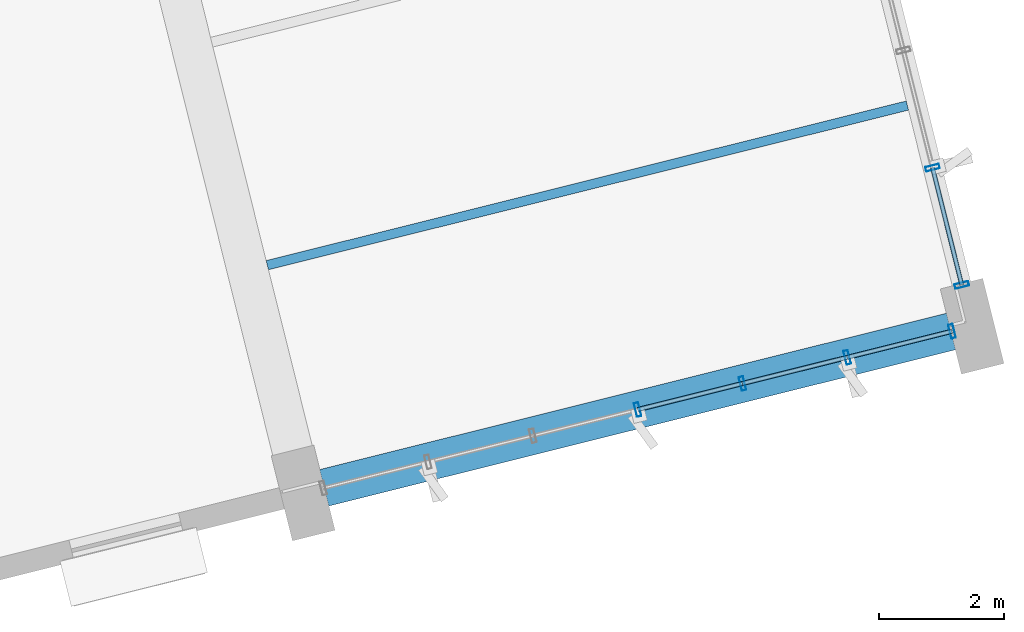
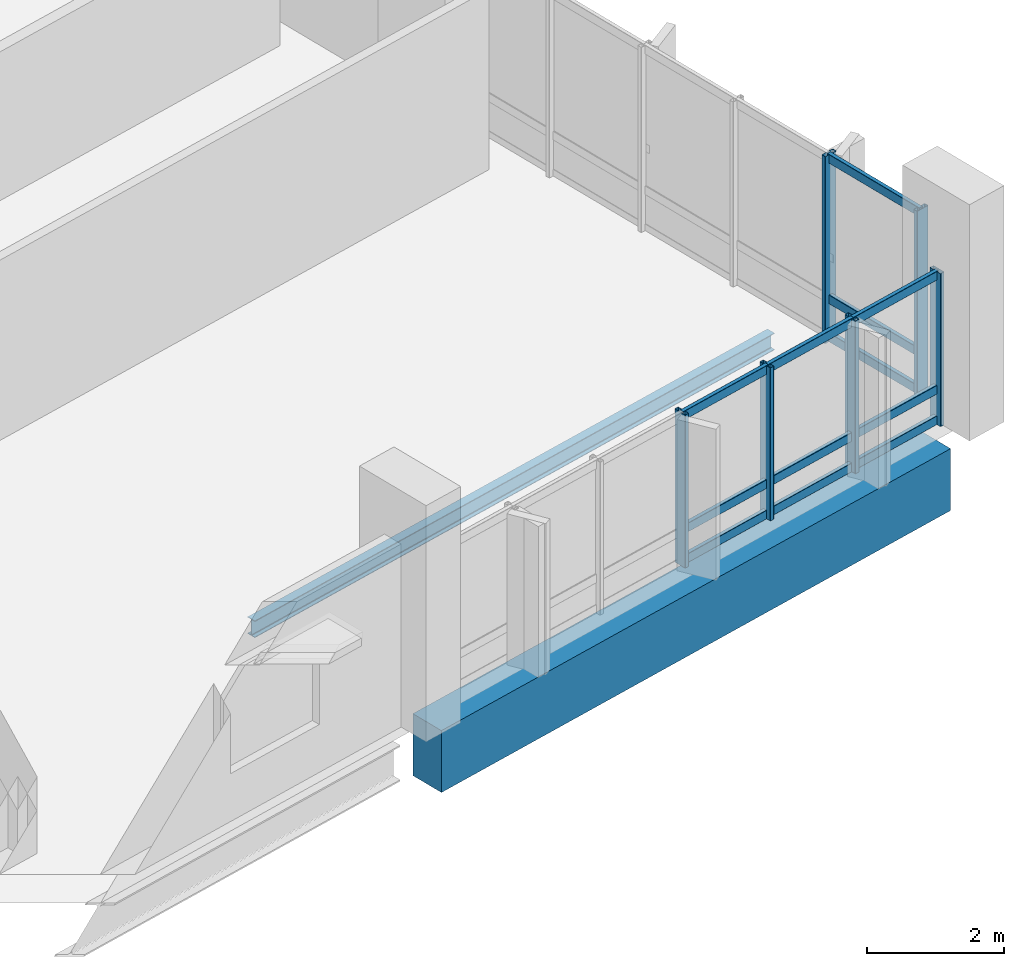
# One storey, part 9 of 42: 18 members, 2 beams, 2 elements without a shape of their own.
"""IFC4 building model written with IfcOpenShell, lengths in metres."""

from ifc_helpers import new_model, si_unit, direction, frame, origin, origin_2d, place, context, subcontext, project, spatial, rectangle, hollow_rectangle, i_section, extrude, material, layer, layer_set, material_profile, profile_set, type_object, element, aggregate, save


model = new_model("IFC4")

# Units and contexts
model_context = context("Model", 3, precision=1e-05, world=origin(), true_north=direction((0.0, 1.0)))
body_context = subcontext(model_context, "Body", "Model", "MODEL_VIEW")
ifc_project = project(units=[si_unit("LENGTHUNIT", "METRE"), si_unit("AREAUNIT", "SQUARE_METRE"), si_unit("VOLUMEUNIT", "CUBIC_METRE"), si_unit("PLANEANGLEUNIT", "RADIAN"), si_unit("MASSUNIT", "GRAM", prefix="KILO")], contexts=[model_context])

# Site, building, storey
site_placement = place(None, origin())
site = spatial("IfcSite", under=ifc_project, at=site_placement, CompositionType="ELEMENT")
building_placement = place(site_placement, origin())
building = spatial("IfcBuilding", under=site, at=building_placement, Name="Khorjan Park Terminus", CompositionType="ELEMENT")
storey_placement = place(building_placement, frame((0.0, 0.0, 20.4)))
storey = spatial("IfcBuildingStorey", under=building, at=storey_placement, Name="L04", CompositionType="ELEMENT", Elevation=20.4)

# Beams
ifc_material_1 = material(Name="Concrete C40/50", Category="concrete")
ifc_material_profile_1 = material_profile(ifc_material_1, rectangle(XDim=0.6, YDim=1.1, at=origin_2d()), Name="RC 600x1100")
ifc_profile_set_1 = profile_set([ifc_material_profile_1], Name="Concrete C40/50")
beam_type_1 = type_object("IfcBeamType", Name="BM-RC600x1100", PredefinedType="BEAM", material=ifc_profile_set_1)
beam_1_placement = place(storey_placement, frame((219.701, 15.3892, -0.89), z_axis=(0.970296351811, 0.241919386702, 0.0), x_axis=(-0.241919386702, 0.970296351811, 0.0)))
element("IfcBeam", 1, at=beam_1_placement, inside=storey, type_object=beam_type_1, Name="Primary skew-grid floor girder GB-11 (L04)", PredefinedType="BEAM", context=body_context, shape_type="SweptSolid", body=[
    extrude(rectangle(XDim=0.6, YDim=1.1, at=origin_2d()), origin(), (0.0, 0.0, 1.0), 10.31),
])
ifc_material_2 = material(Name="Steel S355", Category="steel")
ifc_material_profile_2 = material_profile(ifc_material_2, i_section(OverallWidth=0.15, OverallDepth=0.3, WebThickness=0.0071, FlangeThickness=0.0107, FilletRadius=0.015, at=origin_2d()), Name="IPE 300")
ifc_profile_set_2 = profile_set([ifc_material_profile_2], Name="Steel S355")
beam_type_2 = type_object("IfcBeamType", Name="JS-IPE300", PredefinedType="JOIST", material=ifc_profile_set_2)
beam_2_placement = place(storey_placement, frame((218.7946, 18.9421, -0.49), z_axis=(0.970296002015, 0.241920789668, 0.0), x_axis=(-0.241920789668, 0.970296002015, 0.0)))
element("IfcBeam", 2, at=beam_2_placement, inside=storey, type_object=beam_type_2, Name="Secondary composite floor joist SJ-30 (L04)", PredefinedType="JOIST", context=body_context, shape_type="SweptSolid", body=[
    extrude(i_section(OverallWidth=0.15, OverallDepth=0.3, WebThickness=0.0071, FlangeThickness=0.0107, FilletRadius=0.015, at=origin_2d()), origin(), (0.0, 0.0, 1.0), 10.5249),
])

# Curtain wall, members
ifc_material_3 = material(Name="Anodized Bronze Aluminium", Category="aluminium")
ifc_layer = layer(ifc_material_3, 0.22)
ifc_layer_set = layer_set([ifc_layer], Name="Anodized Bronze Aluminium")
curtain_wall_type = type_object("IfcCurtainWallType", Name="CW-OPS-B", PredefinedType="NOTDEFINED", material=ifc_layer_set)
curtain_wall_1_placement = place(storey_placement, origin())
curtain_wall_1 = element("IfcCurtainWall", 3, at=curtain_wall_1_placement, inside=storey, type_object=curtain_wall_type, Name="Unitized curtain wall CW-B (CW-V5-S-L04-B05)", PredefinedType="NOTDEFINED")
ifc_material_profile_3 = material_profile(ifc_material_3, hollow_rectangle(XDim=0.075, YDim=0.225, WallThickness=0.005, InnerFilletRadius=0.005, OuterFilletRadius=0.01, at=origin_2d()), Name="ALM 75x225x5")
ifc_profile_set_3 = profile_set([ifc_material_profile_3], Name="Anodized Bronze Aluminium")
member_type_1 = type_object("IfcMemberType", Name="ML-ALM-225", PredefinedType="MULLION", material=ifc_profile_set_3)
member_1_placement = place(storey_placement, frame((224.703, 16.6363, -0.035), z_axis=(0.0, 0.0, 1.0), x_axis=(0.970296464407, 0.241918935098, 0.0)))
member_1 = element("IfcMember", 4, at=member_1_placement, type_object=member_type_1, Name="Curtain-wall mullion ML-22 (CW-V5-S-L04-B05-3)", PredefinedType="MULLION", context=body_context, shape_type="SweptSolid", body=[
    extrude(hollow_rectangle(XDim=0.075, YDim=0.225, WallThickness=0.005, InnerFilletRadius=0.005, OuterFilletRadius=0.01, at=origin_2d()), origin(), (0.0, 0.0, 1.0), 2.72),
])
member_2_placement = place(storey_placement, frame((226.3753, 17.0532, -0.035), z_axis=(0.0, 0.0, 1.0), x_axis=(0.970296464407, 0.241918935098, 0.0)))
member_2 = element("IfcMember", 5, at=member_2_placement, type_object=member_type_1, Name="Curtain-wall mullion ML-22 (CW-V5-S-L04-B05-4)", PredefinedType="MULLION", context=body_context, shape_type="SweptSolid", body=[
    extrude(hollow_rectangle(XDim=0.075, YDim=0.225, WallThickness=0.005, InnerFilletRadius=0.005, OuterFilletRadius=0.01, at=origin_2d()), origin(), (0.0, 0.0, 1.0), 2.72),
])
member_3_placement = place(storey_placement, frame((228.0476, 17.4702, -0.035), z_axis=(0.0, 0.0, 1.0), x_axis=(0.970296464407, 0.241918935098, 0.0)))
member_3 = element("IfcMember", 6, at=member_3_placement, type_object=member_type_1, Name="Curtain-wall mullion ML-22 (CW-V5-S-L04-B05-5)", PredefinedType="MULLION", context=body_context, shape_type="SweptSolid", body=[
    extrude(hollow_rectangle(XDim=0.075, YDim=0.225, WallThickness=0.005, InnerFilletRadius=0.005, OuterFilletRadius=0.01, at=origin_2d()), origin(), (0.0, 0.0, 1.0), 2.72),
])
member_4_placement = place(storey_placement, frame((229.7198, 17.8871, -0.035), z_axis=(0.0, 0.0, 1.0), x_axis=(0.970296464407, 0.241918935098, 0.0)))
member_4 = element("IfcMember", 7, at=member_4_placement, type_object=member_type_1, Name="Curtain-wall mullion ML-22 (CW-V5-S-L04-B05-6)", PredefinedType="MULLION", context=body_context, shape_type="SweptSolid", body=[
    extrude(hollow_rectangle(XDim=0.075, YDim=0.225, WallThickness=0.005, InnerFilletRadius=0.005, OuterFilletRadius=0.01, at=origin_2d()), origin(), (0.0, 0.0, 1.0), 2.72),
])

curtain_wall_2_placement = place(storey_placement, origin())
curtain_wall_2 = element("IfcCurtainWall", 8, at=curtain_wall_2_placement, inside=storey, type_object=curtain_wall_type, Name="Unitized curtain wall CW-B (CW-V5-E-L04-B01)", PredefinedType="NOTDEFINED")
member_5_placement = place(storey_placement, frame((229.875, 18.6267, -0.035), z_axis=(0.0, 0.0, 1.0), x_axis=(-0.241920488516, 0.9702960771, 0.0)))
member_5 = element("IfcMember", 9, at=member_5_placement, type_object=member_type_1, Name="Curtain-wall mullion ML-22 (CW-V5-E-L04-B01-0)", PredefinedType="MULLION", context=body_context, shape_type="SweptSolid", body=[
    extrude(hollow_rectangle(XDim=0.075, YDim=0.225, WallThickness=0.005, InnerFilletRadius=0.005, OuterFilletRadius=0.01, at=origin_2d()), origin(), (0.0, 0.0, 1.0), 3.325),
])
member_6_placement = place(storey_placement, frame((229.4086, 20.4974, -0.035), z_axis=(0.0, 0.0, 1.0), x_axis=(-0.241920488516, 0.9702960771, 0.0)))
member_6 = element("IfcMember", 10, at=member_6_placement, type_object=member_type_1, Name="Curtain-wall mullion ML-22 (CW-V5-E-L04-B01-1)", PredefinedType="MULLION", context=body_context, shape_type="SweptSolid", body=[
    extrude(hollow_rectangle(XDim=0.075, YDim=0.225, WallThickness=0.005, InnerFilletRadius=0.005, OuterFilletRadius=0.01, at=origin_2d()), origin(), (0.0, 0.0, 1.0), 3.325),
])

# Member
ifc_material_profile_4 = material_profile(ifc_material_3, hollow_rectangle(XDim=0.07, YDim=0.16, WallThickness=0.004, InnerFilletRadius=0.004, OuterFilletRadius=0.008, at=origin_2d()), Name="ALT 70x160x4")
ifc_profile_set_4 = profile_set([ifc_material_profile_4], Name="Anodized Bronze Aluminium")
member_type_2 = type_object("IfcMemberType", Name="TR-ALT-160", PredefinedType="USERDEFINED", material=ifc_profile_set_4)
member_7_placement = place(storey_placement, frame((224.703, 16.6363, 0.04), z_axis=(0.970302701845, 0.241893916402, 0.0), x_axis=(-0.241893916402, 0.970302701845, 0.0)))
member_7 = element("IfcMember", 11, at=member_7_placement, type_object=member_type_2, Name="Curtain-wall transom TR-16 (CW-V5-S-L04-B05-3-1)", ObjectType="TRANSOM", PredefinedType="USERDEFINED", context=body_context, shape_type="SweptSolid", body=[
    extrude(hollow_rectangle(XDim=0.07, YDim=0.16, WallThickness=0.004, InnerFilletRadius=0.004, OuterFilletRadius=0.008, at=origin_2d()), origin(), (0.0, 0.0, 1.0), 1.7235),
])

member_8_placement = place(storey_placement, frame((224.703, 16.6363, 0.583), z_axis=(0.970302701845, 0.241893916402, 0.0), x_axis=(-0.241893916402, 0.970302701845, 0.0)))
member_8 = element("IfcMember", 12, at=member_8_placement, type_object=member_type_2, Name="Curtain-wall transom TR-16 (CW-V5-S-L04-B05-3-2)", ObjectType="TRANSOM", PredefinedType="USERDEFINED", context=body_context, shape_type="SweptSolid", body=[
    extrude(hollow_rectangle(XDim=0.07, YDim=0.16, WallThickness=0.004, InnerFilletRadius=0.004, OuterFilletRadius=0.008, at=origin_2d()), origin(), (0.0, 0.0, 1.0), 1.7235),
])

member_9_placement = place(storey_placement, frame((224.703, 16.6363, 2.61), z_axis=(0.970302701845, 0.241893916402, 0.0), x_axis=(-0.241893916402, 0.970302701845, 0.0)))
member_9 = element("IfcMember", 13, at=member_9_placement, type_object=member_type_2, Name="Curtain-wall transom TR-16 (CW-V5-S-L04-B05-3-3)", ObjectType="TRANSOM", PredefinedType="USERDEFINED", context=body_context, shape_type="SweptSolid", body=[
    extrude(hollow_rectangle(XDim=0.07, YDim=0.16, WallThickness=0.004, InnerFilletRadius=0.004, OuterFilletRadius=0.008, at=origin_2d()), origin(), (0.0, 0.0, 1.0), 1.7235),
])

member_10_placement = place(storey_placement, frame((226.3753, 17.0532, 0.04), z_axis=(0.970289082125, 0.241948542275, 0.0), x_axis=(-0.241948542275, 0.970289082125, 0.0)))
member_10 = element("IfcMember", 14, at=member_10_placement, type_object=member_type_2, Name="Curtain-wall transom TR-16 (CW-V5-S-L04-B05-4-1)", ObjectType="TRANSOM", PredefinedType="USERDEFINED", context=body_context, shape_type="SweptSolid", body=[
    extrude(hollow_rectangle(XDim=0.07, YDim=0.16, WallThickness=0.004, InnerFilletRadius=0.004, OuterFilletRadius=0.008, at=origin_2d()), origin(), (0.0, 0.0, 1.0), 1.7235),
])

member_11_placement = place(storey_placement, frame((226.3753, 17.0532, 0.583), z_axis=(0.970289082125, 0.241948542275, 0.0), x_axis=(-0.241948542275, 0.970289082125, 0.0)))
member_11 = element("IfcMember", 15, at=member_11_placement, type_object=member_type_2, Name="Curtain-wall transom TR-16 (CW-V5-S-L04-B05-4-2)", ObjectType="TRANSOM", PredefinedType="USERDEFINED", context=body_context, shape_type="SweptSolid", body=[
    extrude(hollow_rectangle(XDim=0.07, YDim=0.16, WallThickness=0.004, InnerFilletRadius=0.004, OuterFilletRadius=0.008, at=origin_2d()), origin(), (0.0, 0.0, 1.0), 1.7235),
])

member_12_placement = place(storey_placement, frame((226.3753, 17.0532, 2.61), z_axis=(0.970289082125, 0.241948542275, 0.0), x_axis=(-0.241948542275, 0.970289082125, 0.0)))
member_12 = element("IfcMember", 16, at=member_12_placement, type_object=member_type_2, Name="Curtain-wall transom TR-16 (CW-V5-S-L04-B05-4-3)", ObjectType="TRANSOM", PredefinedType="USERDEFINED", context=body_context, shape_type="SweptSolid", body=[
    extrude(hollow_rectangle(XDim=0.07, YDim=0.16, WallThickness=0.004, InnerFilletRadius=0.004, OuterFilletRadius=0.008, at=origin_2d()), origin(), (0.0, 0.0, 1.0), 1.7235),
])

member_13_placement = place(storey_placement, frame((228.0476, 17.4702, 0.04), z_axis=(0.970299306534, 0.241907535518, 0.0), x_axis=(-0.241907535518, 0.970299306534, 0.0)))
member_13 = element("IfcMember", 17, at=member_13_placement, type_object=member_type_2, Name="Curtain-wall transom TR-16 (CW-V5-S-L04-B05-5-1)", ObjectType="TRANSOM", PredefinedType="USERDEFINED", context=body_context, shape_type="SweptSolid", body=[
    extrude(hollow_rectangle(XDim=0.07, YDim=0.16, WallThickness=0.004, InnerFilletRadius=0.004, OuterFilletRadius=0.008, at=origin_2d()), origin(), (0.0, 0.0, 1.0), 1.7234),
])

member_14_placement = place(storey_placement, frame((228.0476, 17.4702, 0.583), z_axis=(0.970299306534, 0.241907535518, 0.0), x_axis=(-0.241907535518, 0.970299306534, 0.0)))
member_14 = element("IfcMember", 18, at=member_14_placement, type_object=member_type_2, Name="Curtain-wall transom TR-16 (CW-V5-S-L04-B05-5-2)", ObjectType="TRANSOM", PredefinedType="USERDEFINED", context=body_context, shape_type="SweptSolid", body=[
    extrude(hollow_rectangle(XDim=0.07, YDim=0.16, WallThickness=0.004, InnerFilletRadius=0.004, OuterFilletRadius=0.008, at=origin_2d()), origin(), (0.0, 0.0, 1.0), 1.7234),
])

member_15_placement = place(storey_placement, frame((228.0476, 17.4702, 2.61), z_axis=(0.970299306534, 0.241907535518, 0.0), x_axis=(-0.241907535518, 0.970299306534, 0.0)))
member_15 = element("IfcMember", 19, at=member_15_placement, type_object=member_type_2, Name="Curtain-wall transom TR-16 (CW-V5-S-L04-B05-5-3)", ObjectType="TRANSOM", PredefinedType="USERDEFINED", context=body_context, shape_type="SweptSolid", body=[
    extrude(hollow_rectangle(XDim=0.07, YDim=0.16, WallThickness=0.004, InnerFilletRadius=0.004, OuterFilletRadius=0.008, at=origin_2d()), origin(), (0.0, 0.0, 1.0), 1.7234),
])

aggregate(curtain_wall_1, [member_1, member_2, member_3, member_4, member_7, member_8, member_9, member_10, member_11, member_12, member_13, member_14, member_15])

member_16_placement = place(storey_placement, frame((229.875, 18.6267, 0.04), z_axis=(-0.241913157049, 0.970297905, 0.0), x_axis=(-0.970297905, -0.241913157049, 0.0)))
member_16 = element("IfcMember", 20, at=member_16_placement, type_object=member_type_2, Name="Curtain-wall transom TR-16 (CW-V5-E-L04-B01-0-1)", ObjectType="TRANSOM", PredefinedType="USERDEFINED", context=body_context, shape_type="SweptSolid", body=[
    extrude(hollow_rectangle(XDim=0.07, YDim=0.16, WallThickness=0.004, InnerFilletRadius=0.004, OuterFilletRadius=0.008, at=origin_2d()), origin(), (0.0, 0.0, 1.0), 1.928),
])

member_17_placement = place(storey_placement, frame((229.875, 18.6267, 0.716), z_axis=(-0.241913157049, 0.970297905, 0.0), x_axis=(-0.970297905, -0.241913157049, 0.0)))
member_17 = element("IfcMember", 21, at=member_17_placement, type_object=member_type_2, Name="Curtain-wall transom TR-16 (CW-V5-E-L04-B01-0-2)", ObjectType="TRANSOM", PredefinedType="USERDEFINED", context=body_context, shape_type="SweptSolid", body=[
    extrude(hollow_rectangle(XDim=0.07, YDim=0.16, WallThickness=0.004, InnerFilletRadius=0.004, OuterFilletRadius=0.008, at=origin_2d()), origin(), (0.0, 0.0, 1.0), 1.928),
])

member_18_placement = place(storey_placement, frame((229.875, 18.6267, 3.215), z_axis=(-0.241913157049, 0.970297905, 0.0), x_axis=(-0.970297905, -0.241913157049, 0.0)))
member_18 = element("IfcMember", 22, at=member_18_placement, type_object=member_type_2, Name="Curtain-wall transom TR-16 (CW-V5-E-L04-B01-0-3)", ObjectType="TRANSOM", PredefinedType="USERDEFINED", context=body_context, shape_type="SweptSolid", body=[
    extrude(hollow_rectangle(XDim=0.07, YDim=0.16, WallThickness=0.004, InnerFilletRadius=0.004, OuterFilletRadius=0.008, at=origin_2d()), origin(), (0.0, 0.0, 1.0), 1.928),
])

aggregate(curtain_wall_2, [member_5, member_6, member_16, member_17, member_18])

save(model, "model.ifc")
